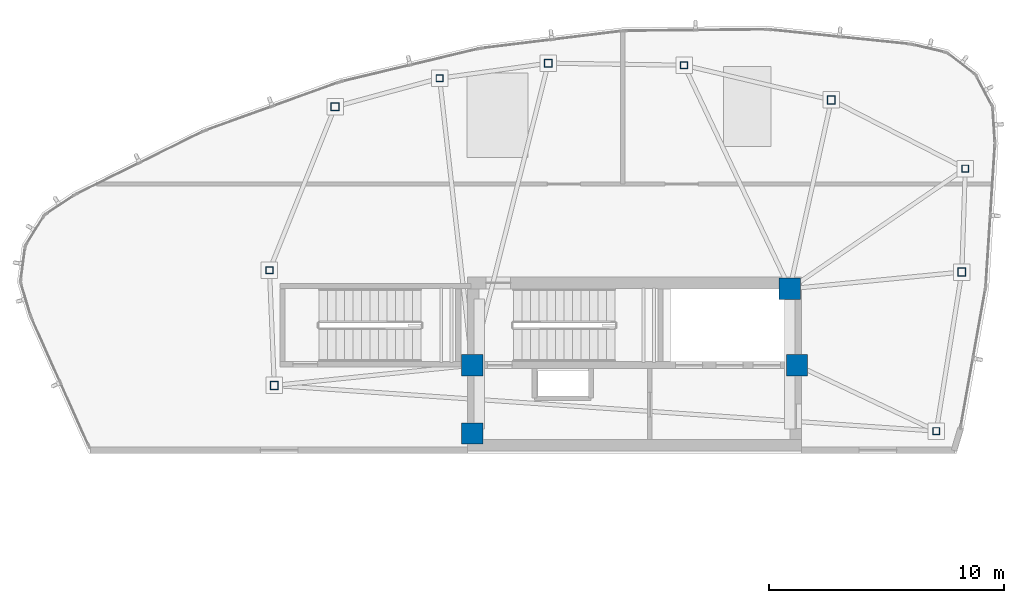
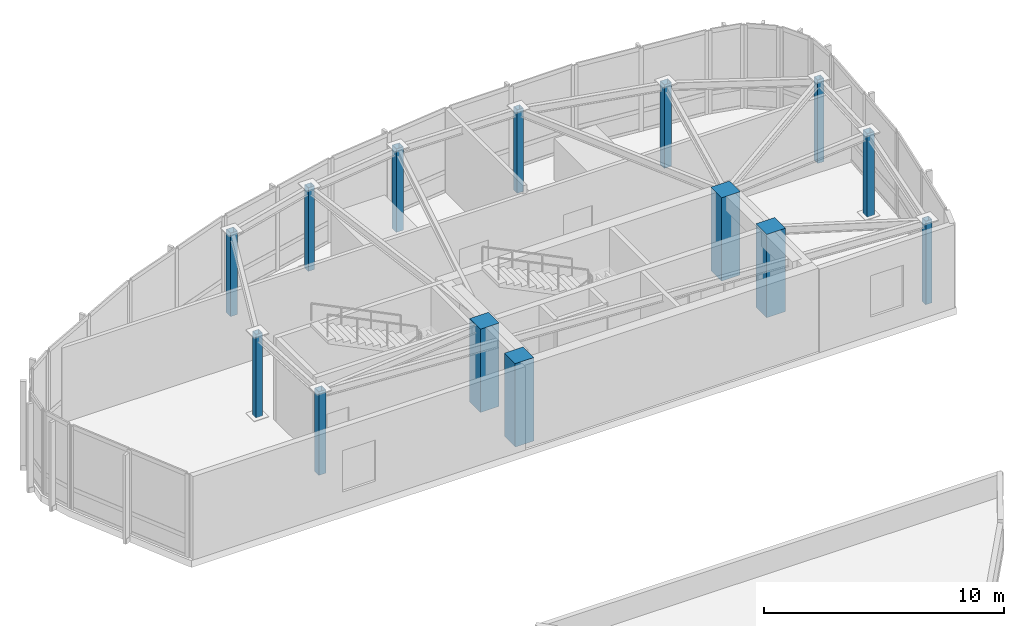
# One storey, part 1 of 11: 14 columns.
"""IFC4 building model written with IfcOpenShell, lengths in metres."""

from ifc_helpers import new_model, si_unit, direction, frame, origin, origin_2d, place, context, subcontext, project, spatial, rectangle, hollow_rectangle, extrude, material, material_profile, profile_set, type_object, element, save


model = new_model("IFC4")

# Units and contexts
model_context = context("Model", 3, precision=1e-05, world=origin(), true_north=direction((0.0, 1.0)))
body_context = subcontext(model_context, "Body", "Model", "MODEL_VIEW")
ifc_project = project(units=[si_unit("LENGTHUNIT", "METRE"), si_unit("AREAUNIT", "SQUARE_METRE"), si_unit("VOLUMEUNIT", "CUBIC_METRE"), si_unit("PLANEANGLEUNIT", "RADIAN"), si_unit("MASSUNIT", "GRAM", prefix="KILO")], contexts=[model_context])

# Site, building, storey
site_placement = place(None, origin())
site = spatial("IfcSite", under=ifc_project, at=site_placement, CompositionType="ELEMENT")
building_placement = place(site_placement, origin())
building = spatial("IfcBuilding", under=site, at=building_placement, Name="Tavelor Broadcast Tower", CompositionType="ELEMENT")
storey_placement = place(building_placement, frame((0.0, 0.0, 345.89990234375)))
storey = spatial("IfcBuildingStorey", under=building, at=storey_placement, Name="L82", CompositionType="ELEMENT", Elevation=345.89990234375)

# Columns
ifc_material_1 = material(Name="Concrete C50/60", Category="concrete")
ifc_material_profile_1 = material_profile(ifc_material_1, rectangle(XDim=0.89990234375, YDim=0.89990234375, at=origin_2d()), Name="RC 900x900")
ifc_profile_set_1 = profile_set([ifc_material_profile_1], Name="Concrete C50/60")
column_type_1 = type_object("IfcColumnType", Name="Core Embedded Composite Column RC900", PredefinedType="COLUMN", material=ifc_profile_set_1)
for number, where, z_axis, x_axis, name in (
    (1, (43.10009765625, 47.949951171875, 0.0), (0.0, 0.0, 1.0), (1.0, 0.0, 0.0), "L82 Core Embedded Column 1"),
    (2, (56.89990234375, 47.949951171875, 0.0), (0.0, 0.0, 1.0), (1.0, 0.0, 0.0), "L82 Core Embedded Column 2"),
    (3, (56.60009765625, 51.199951171875, 0.0), (0.0, 0.0, 1.0), (1.0, 0.0, 0.0), "L82 Core Embedded Column 3"),
    (4, (43.10009765625, 45.050048828125, 0.0), (0.0, 0.0, 1.0), (1.0, 0.0, 0.0), "L82 Core Embedded Column 4"),
):
    element("IfcColumn", number, at=place(storey_placement, frame(where, z_axis=z_axis, x_axis=x_axis)), inside=storey, type_object=column_type_1, Name=name, PredefinedType="COLUMN", context=body_context, shape_type="SweptSolid", body=[
        extrude(rectangle(XDim=0.89990234375, YDim=0.89990234375, at=origin_2d()), origin(), (0.0, 0.0, 1.0), 4.25),
    ])
ifc_material_2 = material(Name="Steel S355", Category="steel")
ifc_material_profile_2 = material_profile(ifc_material_2, hollow_rectangle(XDim=0.35009765625, YDim=0.35009765625, WallThickness=0.02001953125, at=origin_2d()), Name="SHS 350x350x20")
ifc_profile_set_2 = profile_set([ifc_material_profile_2], Name="Steel S355")
column_type_2 = type_object("IfcColumnType", Name="Crown Frame Column SHS350", PredefinedType="COLUMN", material=ifc_profile_set_2)
for number, where, z_axis, x_axis, name in (
    (5, (37.27294921875, 58.9375, 0.0), (0.0, 0.0, 1.0), (1.0, 0.0, 0.0), "L82 Crown Peak A Frame Column 1"),
    (6, (34.690673828125, 47.090087890625, 0.0), (0.0, 0.0, 1.0), (1.0, 0.0, 0.0), "L82 Crown Peak A Frame Column 3"),
    (7, (63.910888671875, 51.91064453125, 0.0), (0.0, 0.0, 1.0), (1.0, 0.0, 0.0), "L82 Crown Peak A Frame Column 5"),
    (8, (58.364013671875, 59.226318359375, 0.0), (0.0, 0.0, 1.0), (1.0, 0.0, 0.0), "L82 Crown Peak A Frame Column 7"),
    (9, (46.337158203125, 60.786865234375, 0.0), (0.0, 0.0, 1.0), (1.0, 0.0, 0.0), "L82 Crown Peak A Frame Column 9"),
):
    element("IfcColumn", number, at=place(storey_placement, frame(where, z_axis=z_axis, x_axis=x_axis)), inside=storey, type_object=column_type_2, Name=name, PredefinedType="COLUMN", context=body_context, shape_type="SweptSolid", body=[
        extrude(hollow_rectangle(XDim=0.35009765625, YDim=0.35009765625, WallThickness=0.02001953125, at=origin_2d()), origin(), (0.0, 0.0, 1.0), 4.25),
    ])
ifc_material_profile_3 = material_profile(ifc_material_2, hollow_rectangle(XDim=0.300048828125, YDim=0.300048828125, WallThickness=0.01611328125, at=origin_2d()), Name="SHS 300x300x16")
ifc_profile_set_3 = profile_set([ifc_material_profile_3], Name="Steel S355")
column_type_3 = type_object("IfcColumnType", Name="Crown Secondary Post SHS300", PredefinedType="COLUMN", material=ifc_profile_set_3)
for number, where, z_axis, x_axis, name in (
    (10, (34.4853515625, 51.989013671875, 0.0), (0.0, 0.0, 1.0), (1.0, 0.0, 0.0), "L82 Crown Peak A Frame Column 2"),
    (11, (62.826416015625, 45.14990234375, 0.0), (0.0, 0.0, 1.0), (1.0, 0.0, 0.0), "L82 Crown Peak A Frame Column 4"),
    (12, (64.058349609375, 56.30859375, 0.0), (0.0, 0.0, 1.0), (1.0, 0.0, 0.0), "L82 Crown Peak A Frame Column 6"),
    (13, (52.10400390625, 60.701416015625, 0.0), (0.0, 0.0, 1.0), (1.0, 0.0, 0.0), "L82 Crown Peak A Frame Column 8"),
    (14, (41.715087890625, 60.145751953125, 0.0), (0.0, 0.0, 1.0), (1.0, 0.0, 0.0), "L82 Crown Peak A Frame Column 10"),
):
    element("IfcColumn", number, at=place(storey_placement, frame(where, z_axis=z_axis, x_axis=x_axis)), inside=storey, type_object=column_type_3, Name=name, PredefinedType="COLUMN", context=body_context, shape_type="SweptSolid", body=[
        extrude(hollow_rectangle(XDim=0.300048828125, YDim=0.300048828125, WallThickness=0.01611328125, at=origin_2d()), origin(), (0.0, 0.0, 1.0), 4.25),
    ])

save(model, "model.ifc")
